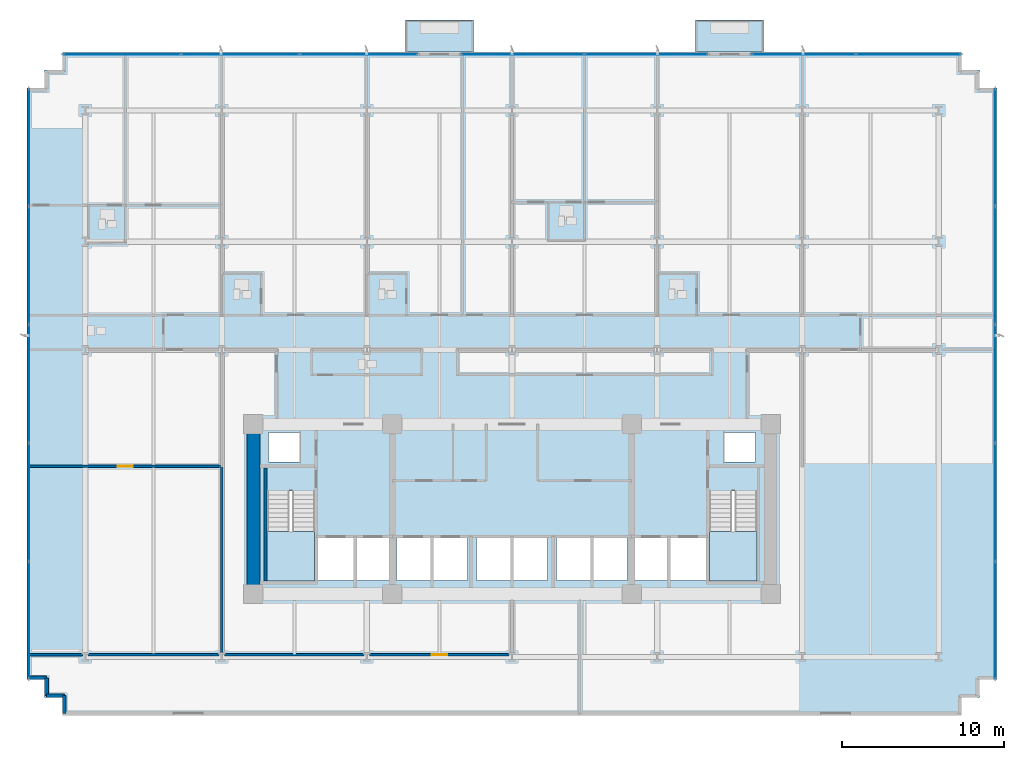
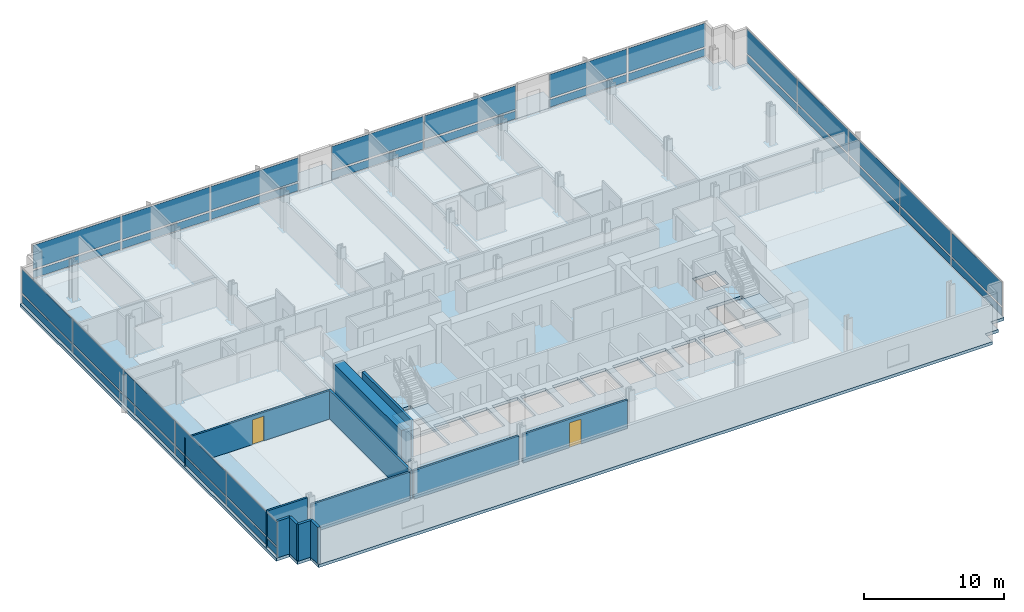
# One storey, part 7 of 16: 34 plates, 12 walls, 5 slabs, 2 doors, 2 openings, 7 elements without a shape of their own.
"""IFC4 building model written with IfcOpenShell, lengths in metres."""

from ifc_helpers import new_model, si_unit, direction, frame, frame_2d, origin, origin_2d, place, context, subcontext, project, spatial, polyline, rectangle, outline, extrude, material, layer, layer_set, type_object, element, fill, aggregate, save


model = new_model("IFC4")

# Units and contexts
model_context = context("Model", 3, precision=1e-05, world=origin(), true_north=direction((0.0, 1.0)))
body_context = subcontext(model_context, "Body", "Model", "MODEL_VIEW")
ifc_project = project(units=[si_unit("LENGTHUNIT", "METRE"), si_unit("AREAUNIT", "SQUARE_METRE"), si_unit("VOLUMEUNIT", "CUBIC_METRE"), si_unit("PLANEANGLEUNIT", "RADIAN"), si_unit("MASSUNIT", "GRAM", prefix="KILO")], contexts=[model_context])

# Site, building, storey
site_placement = place(None, origin())
site = spatial("IfcSite", under=ifc_project, at=site_placement, CompositionType="ELEMENT")
building_placement = place(site_placement, origin())
building = spatial("IfcBuilding", under=site, at=building_placement, Name="Solmavex Isthmus Hotel", CompositionType="ELEMENT")
storey_placement = place(building_placement, frame((0.0, 0.0, 36.75)))
storey = spatial("IfcBuildingStorey", under=building, at=storey_placement, Name="L09", CompositionType="ELEMENT", Elevation=36.75)

# Curtain wall, plates
ifc_material_1 = material(Name="Aluminium alloy 6063-T6", Category="aluminium")
curtain_wall_type = type_object("IfcCurtainWallType", Name="CW-SYS-02", PredefinedType="NOTDEFINED", material=ifc_material_1)
curtain_wall_1_placement = place(storey_placement, origin())
curtain_wall_1 = element("IfcCurtainWall", 1, at=curtain_wall_1_placement, inside=storey, type_object=curtain_wall_type, Name="Stick Curtain Wall CWL-L09-N1", PredefinedType="NOTDEFINED")
ifc_material_2 = material(Name="Clear low-E laminated glass", Category="glass")
ifc_layer_1 = layer(ifc_material_2, 0.031982421875)
ifc_layer_set_1 = layer_set([ifc_layer_1], Name="Clear low-E laminated glass")
plate_type = type_object("IfcPlateType", Name="CW-SYS-02-PNL", PredefinedType="CURTAIN_PANEL", material=ifc_layer_set_1)
plate_1_placement = place(storey_placement, frame((-24.112548828125, 20.3798828125, 0.16015625), z_axis=(0.0, 0.0, 1.0), x_axis=(1.0, 0.0, 0.0)))
plate_1 = element("IfcPlate", 2, at=plate_1_placement, type_object=plate_type, Name="CW-02 panel 1.1", PredefinedType="CURTAIN_PANEL", context=body_context, shape_type="SweptSolid", body=[
    extrude(rectangle(XDim=7.224853515625, YDim=0.031982421875, at=origin_2d()), origin(), (0.0, 0.0, 1.0), 0.659912109375),
])
plate_2_placement = place(storey_placement, frame((-24.112548828125, 20.3798828125, 0.97998046875), z_axis=(0.0, 0.0, 1.0), x_axis=(1.0, 0.0, 0.0)))
plate_2 = element("IfcPlate", 3, at=plate_2_placement, type_object=plate_type, Name="CW-02 panel 1.2", PredefinedType="CURTAIN_PANEL", context=body_context, shape_type="SweptSolid", body=[
    extrude(rectangle(XDim=7.224853515625, YDim=0.031982421875, at=origin_2d()), origin(), (0.0, 0.0, 1.0), 2.050048828125),
])
plate_3_placement = place(storey_placement, frame((-16.7939453125, 20.3798828125, 0.16015625), z_axis=(0.0, 0.0, 1.0), x_axis=(1.0, 0.0, 0.0)))
plate_3 = element("IfcPlate", 4, at=plate_3_placement, type_object=plate_type, Name="CW-02 panel 2.1", PredefinedType="CURTAIN_PANEL", context=body_context, shape_type="SweptSolid", body=[
    extrude(rectangle(XDim=7.262451171875, YDim=0.031982421875, at=origin_2d()), origin(), (0.0, 0.0, 1.0), 0.659912109375),
])
plate_4_placement = place(storey_placement, frame((-16.7939453125, 20.3798828125, 0.97998046875), z_axis=(0.0, 0.0, 1.0), x_axis=(1.0, 0.0, 0.0)))
plate_4 = element("IfcPlate", 5, at=plate_4_placement, type_object=plate_type, Name="CW-02 panel 2.2", PredefinedType="CURTAIN_PANEL", context=body_context, shape_type="SweptSolid", body=[
    extrude(rectangle(XDim=7.262451171875, YDim=0.031982421875, at=origin_2d()), origin(), (0.0, 0.0, 1.0), 2.050048828125),
])
plate_5_placement = place(storey_placement, frame((-9.475341796875, 20.3798828125, 0.16015625), z_axis=(0.0, 0.0, 1.0), x_axis=(1.0, 0.0, 0.0)))
plate_5 = element("IfcPlate", 6, at=plate_5_placement, type_object=plate_type, Name="CW-02 panel 3.1", PredefinedType="CURTAIN_PANEL", context=body_context, shape_type="SweptSolid", body=[
    extrude(rectangle(XDim=7.224853515625, YDim=0.031982421875, at=origin_2d()), origin(), (0.0, 0.0, 1.0), 0.659912109375),
])
plate_6_placement = place(storey_placement, frame((-9.475341796875, 20.3798828125, 0.97998046875), z_axis=(0.0, 0.0, 1.0), x_axis=(1.0, 0.0, 0.0)))
plate_6 = element("IfcPlate", 7, at=plate_6_placement, type_object=plate_type, Name="CW-02 panel 3.2", PredefinedType="CURTAIN_PANEL", context=body_context, shape_type="SweptSolid", body=[
    extrude(rectangle(XDim=7.224853515625, YDim=0.031982421875, at=origin_2d()), origin(), (0.0, 0.0, 1.0), 2.050048828125),
])
aggregate(curtain_wall_1, [plate_1, plate_2, plate_3, plate_4, plate_5, plate_6])

curtain_wall_2_placement = place(storey_placement, origin())
curtain_wall_2 = element("IfcCurtainWall", 8, at=curtain_wall_2_placement, inside=storey, type_object=curtain_wall_type, Name="Stick Curtain Wall CWL-L09-N2", PredefinedType="NOTDEFINED")
plate_7_placement = place(storey_placement, frame((0.668701171875, 20.3798828125, 0.16015625), z_axis=(0.0, 0.0, 1.0), x_axis=(1.0, 0.0, 0.0)))
plate_7 = element("IfcPlate", 9, at=plate_7_placement, type_object=plate_type, Name="CW-02 panel 1.1", PredefinedType="CURTAIN_PANEL", context=body_context, shape_type="SweptSolid", body=[
    extrude(rectangle(XDim=7.5634765625, YDim=0.031982421875, at=origin_2d()), origin(), (0.0, 0.0, 1.0), 0.659912109375),
])
plate_8_placement = place(storey_placement, frame((0.668701171875, 20.3798828125, 0.97998046875), z_axis=(0.0, 0.0, 1.0), x_axis=(1.0, 0.0, 0.0)))
plate_8 = element("IfcPlate", 10, at=plate_8_placement, type_object=plate_type, Name="CW-02 panel 1.2", PredefinedType="CURTAIN_PANEL", context=body_context, shape_type="SweptSolid", body=[
    extrude(rectangle(XDim=7.5634765625, YDim=0.031982421875, at=origin_2d()), origin(), (0.0, 0.0, 1.0), 2.050048828125),
])
plate_9_placement = place(storey_placement, frame((8.30712890625, 20.3798828125, 0.16015625), z_axis=(0.0, 0.0, 1.0), x_axis=(1.0, 0.0, 0.0)))
plate_9 = element("IfcPlate", 11, at=plate_9_placement, type_object=plate_type, Name="CW-02 panel 2.1", PredefinedType="CURTAIN_PANEL", context=body_context, shape_type="SweptSolid", body=[
    extrude(rectangle(XDim=7.5634765625, YDim=0.031982421875, at=origin_2d()), origin(), (0.0, 0.0, 1.0), 0.659912109375),
])
plate_10_placement = place(storey_placement, frame((8.30712890625, 20.3798828125, 0.97998046875), z_axis=(0.0, 0.0, 1.0), x_axis=(1.0, 0.0, 0.0)))
plate_10 = element("IfcPlate", 12, at=plate_10_placement, type_object=plate_type, Name="CW-02 panel 2.2", PredefinedType="CURTAIN_PANEL", context=body_context, shape_type="SweptSolid", body=[
    extrude(rectangle(XDim=7.5634765625, YDim=0.031982421875, at=origin_2d()), origin(), (0.0, 0.0, 1.0), 2.050048828125),
])
aggregate(curtain_wall_2, [plate_7, plate_8, plate_9, plate_10])

curtain_wall_3_placement = place(storey_placement, origin())
curtain_wall_3 = element("IfcCurtainWall", 13, at=curtain_wall_3_placement, inside=storey, type_object=curtain_wall_type, Name="Stick Curtain Wall CWL-L09-N3", PredefinedType="NOTDEFINED")
plate_11_placement = place(storey_placement, frame((18.041748046875, 20.3798828125, 0.16015625), z_axis=(0.0, 0.0, 1.0), x_axis=(1.0, 0.0, 0.0)))
plate_11 = element("IfcPlate", 14, at=plate_11_placement, type_object=plate_type, Name="CW-02 panel 1.1", PredefinedType="CURTAIN_PANEL", context=body_context, shape_type="SweptSolid", body=[
    extrude(rectangle(XDim=6.405517578125, YDim=0.031982421875, at=origin_2d()), origin(), (0.0, 0.0, 1.0), 0.659912109375),
])
plate_12_placement = place(storey_placement, frame((18.041748046875, 20.3798828125, 0.97998046875), z_axis=(0.0, 0.0, 1.0), x_axis=(1.0, 0.0, 0.0)))
plate_12 = element("IfcPlate", 15, at=plate_12_placement, type_object=plate_type, Name="CW-02 panel 1.2", PredefinedType="CURTAIN_PANEL", context=body_context, shape_type="SweptSolid", body=[
    extrude(rectangle(XDim=6.405517578125, YDim=0.031982421875, at=origin_2d()), origin(), (0.0, 0.0, 1.0), 2.050048828125),
])
plate_13_placement = place(storey_placement, frame((24.522216796875, 20.3798828125, 0.16015625), z_axis=(0.0, 0.0, 1.0), x_axis=(1.0, 0.0, 0.0)))
plate_13 = element("IfcPlate", 16, at=plate_13_placement, type_object=plate_type, Name="CW-02 panel 2.1", PredefinedType="CURTAIN_PANEL", context=body_context, shape_type="SweptSolid", body=[
    extrude(rectangle(XDim=6.405517578125, YDim=0.031982421875, at=origin_2d()), origin(), (0.0, 0.0, 1.0), 0.659912109375),
])
plate_14_placement = place(storey_placement, frame((24.522216796875, 20.3798828125, 0.97998046875), z_axis=(0.0, 0.0, 1.0), x_axis=(1.0, 0.0, 0.0)))
plate_14 = element("IfcPlate", 17, at=plate_14_placement, type_object=plate_type, Name="CW-02 panel 2.2", PredefinedType="CURTAIN_PANEL", context=body_context, shape_type="SweptSolid", body=[
    extrude(rectangle(XDim=6.405517578125, YDim=0.031982421875, at=origin_2d()), origin(), (0.0, 0.0, 1.0), 2.050048828125),
])
aggregate(curtain_wall_3, [plate_11, plate_12, plate_13, plate_14])

curtain_wall_4_placement = place(storey_placement, origin())
curtain_wall_4 = element("IfcCurtainWall", 18, at=curtain_wall_4_placement, inside=storey, type_object=curtain_wall_type, Name="Stick Curtain Wall CWL-L09-W1", PredefinedType="NOTDEFINED")
plate_15_placement = place(storey_placement, frame((-29.8798828125, -14.621337890625, 0.16015625), z_axis=(0.0, 0.0, 1.0), x_axis=(0.0, 1.0, 0.0)))
plate_15 = element("IfcPlate", 19, at=plate_15_placement, type_object=plate_type, Name="CW-02 panel 1.1", PredefinedType="CURTAIN_PANEL", context=body_context, shape_type="SweptSolid", body=[
    extrude(rectangle(XDim=7.20751953125, YDim=0.031982421875, at=origin_2d()), origin(), (0.0, 0.0, 1.0), 0.659912109375),
])
plate_16_placement = place(storey_placement, frame((-29.8798828125, -14.621337890625, 0.97998046875), z_axis=(0.0, 0.0, 1.0), x_axis=(0.0, 1.0, 0.0)))
plate_16 = element("IfcPlate", 20, at=plate_16_placement, type_object=plate_type, Name="CW-02 panel 1.2", PredefinedType="CURTAIN_PANEL", context=body_context, shape_type="SweptSolid", body=[
    extrude(rectangle(XDim=7.20751953125, YDim=0.031982421875, at=origin_2d()), origin(), (0.0, 0.0, 1.0), 2.050048828125),
])
plate_17_placement = place(storey_placement, frame((-29.8798828125, -7.320068359375, 0.16015625), z_axis=(0.0, 0.0, 1.0), x_axis=(0.0, 1.0, 0.0)))
plate_17 = element("IfcPlate", 21, at=plate_17_placement, type_object=plate_type, Name="CW-02 panel 2.1", PredefinedType="CURTAIN_PANEL", context=body_context, shape_type="SweptSolid", body=[
    extrude(rectangle(XDim=7.2451171875, YDim=0.031982421875, at=origin_2d()), origin(), (0.0, 0.0, 1.0), 0.659912109375),
])
plate_18_placement = place(storey_placement, frame((-29.8798828125, -7.320068359375, 0.97998046875), z_axis=(0.0, 0.0, 1.0), x_axis=(0.0, 1.0, 0.0)))
plate_18 = element("IfcPlate", 22, at=plate_18_placement, type_object=plate_type, Name="CW-02 panel 2.2", PredefinedType="CURTAIN_PANEL", context=body_context, shape_type="SweptSolid", body=[
    extrude(rectangle(XDim=7.2451171875, YDim=0.031982421875, at=origin_2d()), origin(), (0.0, 0.0, 1.0), 2.050048828125),
])
plate_19_placement = place(storey_placement, frame((-29.8798828125, 0.0, 0.16015625), z_axis=(0.0, 0.0, 1.0), x_axis=(0.0, 1.0, 0.0)))
plate_19 = element("IfcPlate", 23, at=plate_19_placement, type_object=plate_type, Name="CW-02 panel 3.1", PredefinedType="CURTAIN_PANEL", context=body_context, shape_type="SweptSolid", body=[
    extrude(rectangle(XDim=7.2451171875, YDim=0.031982421875, at=origin_2d()), origin(), (0.0, 0.0, 1.0), 0.659912109375),
])
plate_20_placement = place(storey_placement, frame((-29.8798828125, 0.0, 0.97998046875), z_axis=(0.0, 0.0, 1.0), x_axis=(0.0, 1.0, 0.0)))
plate_20 = element("IfcPlate", 24, at=plate_20_placement, type_object=plate_type, Name="CW-02 panel 3.2", PredefinedType="CURTAIN_PANEL", context=body_context, shape_type="SweptSolid", body=[
    extrude(rectangle(XDim=7.2451171875, YDim=0.031982421875, at=origin_2d()), origin(), (0.0, 0.0, 1.0), 2.050048828125),
])
plate_21_placement = place(storey_placement, frame((-29.8798828125, 7.320068359375, 0.16015625), z_axis=(0.0, 0.0, 1.0), x_axis=(0.0, 1.0, 0.0)))
plate_21 = element("IfcPlate", 25, at=plate_21_placement, type_object=plate_type, Name="CW-02 panel 4.1", PredefinedType="CURTAIN_PANEL", context=body_context, shape_type="SweptSolid", body=[
    extrude(rectangle(XDim=7.2451171875, YDim=0.031982421875, at=origin_2d()), origin(), (0.0, 0.0, 1.0), 0.659912109375),
])
plate_22_placement = place(storey_placement, frame((-29.8798828125, 7.320068359375, 0.97998046875), z_axis=(0.0, 0.0, 1.0), x_axis=(0.0, 1.0, 0.0)))
plate_22 = element("IfcPlate", 26, at=plate_22_placement, type_object=plate_type, Name="CW-02 panel 4.2", PredefinedType="CURTAIN_PANEL", context=body_context, shape_type="SweptSolid", body=[
    extrude(rectangle(XDim=7.2451171875, YDim=0.031982421875, at=origin_2d()), origin(), (0.0, 0.0, 1.0), 2.050048828125),
])
plate_23_placement = place(storey_placement, frame((-29.8798828125, 14.621337890625, 0.16015625), z_axis=(0.0, 0.0, 1.0), x_axis=(0.0, 1.0, 0.0)))
plate_23 = element("IfcPlate", 27, at=plate_23_placement, type_object=plate_type, Name="CW-02 panel 5.1", PredefinedType="CURTAIN_PANEL", context=body_context, shape_type="SweptSolid", body=[
    extrude(rectangle(XDim=7.20751953125, YDim=0.031982421875, at=origin_2d()), origin(), (0.0, 0.0, 1.0), 0.659912109375),
])
plate_24_placement = place(storey_placement, frame((-29.8798828125, 14.621337890625, 0.97998046875), z_axis=(0.0, 0.0, 1.0), x_axis=(0.0, 1.0, 0.0)))
plate_24 = element("IfcPlate", 28, at=plate_24_placement, type_object=plate_type, Name="CW-02 panel 5.2", PredefinedType="CURTAIN_PANEL", context=body_context, shape_type="SweptSolid", body=[
    extrude(rectangle(XDim=7.20751953125, YDim=0.031982421875, at=origin_2d()), origin(), (0.0, 0.0, 1.0), 2.050048828125),
])
aggregate(curtain_wall_4, [plate_15, plate_16, plate_17, plate_18, plate_19, plate_20, plate_21, plate_22, plate_23, plate_24])

curtain_wall_5_placement = place(storey_placement, origin())
curtain_wall_5 = element("IfcCurtainWall", 29, at=curtain_wall_5_placement, inside=storey, type_object=curtain_wall_type, Name="Stick Curtain Wall CWL-L09-E1", PredefinedType="NOTDEFINED")
plate_25_placement = place(storey_placement, frame((29.8798828125, -14.621337890625, 0.16015625), z_axis=(0.0, 0.0, 1.0), x_axis=(0.0, 1.0, 0.0)))
plate_25 = element("IfcPlate", 30, at=plate_25_placement, type_object=plate_type, Name="CW-02 panel 1.1", PredefinedType="CURTAIN_PANEL", context=body_context, shape_type="SweptSolid", body=[
    extrude(rectangle(XDim=7.20751953125, YDim=0.031982421875, at=origin_2d()), origin(), (0.0, 0.0, 1.0), 0.659912109375),
])
plate_26_placement = place(storey_placement, frame((29.8798828125, -14.621337890625, 0.97998046875), z_axis=(0.0, 0.0, 1.0), x_axis=(0.0, 1.0, 0.0)))
plate_26 = element("IfcPlate", 31, at=plate_26_placement, type_object=plate_type, Name="CW-02 panel 1.2", PredefinedType="CURTAIN_PANEL", context=body_context, shape_type="SweptSolid", body=[
    extrude(rectangle(XDim=7.20751953125, YDim=0.031982421875, at=origin_2d()), origin(), (0.0, 0.0, 1.0), 2.050048828125),
])
plate_27_placement = place(storey_placement, frame((29.8798828125, -7.320068359375, 0.16015625), z_axis=(0.0, 0.0, 1.0), x_axis=(0.0, 1.0, 0.0)))
plate_27 = element("IfcPlate", 32, at=plate_27_placement, type_object=plate_type, Name="CW-02 panel 2.1", PredefinedType="CURTAIN_PANEL", context=body_context, shape_type="SweptSolid", body=[
    extrude(rectangle(XDim=7.2451171875, YDim=0.031982421875, at=origin_2d()), origin(), (0.0, 0.0, 1.0), 0.659912109375),
])
plate_28_placement = place(storey_placement, frame((29.8798828125, -7.320068359375, 0.97998046875), z_axis=(0.0, 0.0, 1.0), x_axis=(0.0, 1.0, 0.0)))
plate_28 = element("IfcPlate", 33, at=plate_28_placement, type_object=plate_type, Name="CW-02 panel 2.2", PredefinedType="CURTAIN_PANEL", context=body_context, shape_type="SweptSolid", body=[
    extrude(rectangle(XDim=7.2451171875, YDim=0.031982421875, at=origin_2d()), origin(), (0.0, 0.0, 1.0), 2.050048828125),
])
plate_29_placement = place(storey_placement, frame((29.8798828125, 0.0, 0.16015625), z_axis=(0.0, 0.0, 1.0), x_axis=(0.0, 1.0, 0.0)))
plate_29 = element("IfcPlate", 34, at=plate_29_placement, type_object=plate_type, Name="CW-02 panel 3.1", PredefinedType="CURTAIN_PANEL", context=body_context, shape_type="SweptSolid", body=[
    extrude(rectangle(XDim=7.2451171875, YDim=0.031982421875, at=origin_2d()), origin(), (0.0, 0.0, 1.0), 0.659912109375),
])
plate_30_placement = place(storey_placement, frame((29.8798828125, 0.0, 0.97998046875), z_axis=(0.0, 0.0, 1.0), x_axis=(0.0, 1.0, 0.0)))
plate_30 = element("IfcPlate", 35, at=plate_30_placement, type_object=plate_type, Name="CW-02 panel 3.2", PredefinedType="CURTAIN_PANEL", context=body_context, shape_type="SweptSolid", body=[
    extrude(rectangle(XDim=7.2451171875, YDim=0.031982421875, at=origin_2d()), origin(), (0.0, 0.0, 1.0), 2.050048828125),
])
plate_31_placement = place(storey_placement, frame((29.8798828125, 7.320068359375, 0.16015625), z_axis=(0.0, 0.0, 1.0), x_axis=(0.0, 1.0, 0.0)))
plate_31 = element("IfcPlate", 36, at=plate_31_placement, type_object=plate_type, Name="CW-02 panel 4.1", PredefinedType="CURTAIN_PANEL", context=body_context, shape_type="SweptSolid", body=[
    extrude(rectangle(XDim=7.2451171875, YDim=0.031982421875, at=origin_2d()), origin(), (0.0, 0.0, 1.0), 0.659912109375),
])
plate_32_placement = place(storey_placement, frame((29.8798828125, 7.320068359375, 0.97998046875), z_axis=(0.0, 0.0, 1.0), x_axis=(0.0, 1.0, 0.0)))
plate_32 = element("IfcPlate", 37, at=plate_32_placement, type_object=plate_type, Name="CW-02 panel 4.2", PredefinedType="CURTAIN_PANEL", context=body_context, shape_type="SweptSolid", body=[
    extrude(rectangle(XDim=7.2451171875, YDim=0.031982421875, at=origin_2d()), origin(), (0.0, 0.0, 1.0), 2.050048828125),
])
plate_33_placement = place(storey_placement, frame((29.8798828125, 14.621337890625, 0.16015625), z_axis=(0.0, 0.0, 1.0), x_axis=(0.0, 1.0, 0.0)))
plate_33 = element("IfcPlate", 38, at=plate_33_placement, type_object=plate_type, Name="CW-02 panel 5.1", PredefinedType="CURTAIN_PANEL", context=body_context, shape_type="SweptSolid", body=[
    extrude(rectangle(XDim=7.20751953125, YDim=0.031982421875, at=origin_2d()), origin(), (0.0, 0.0, 1.0), 0.659912109375),
])
plate_34_placement = place(storey_placement, frame((29.8798828125, 14.621337890625, 0.97998046875), z_axis=(0.0, 0.0, 1.0), x_axis=(0.0, 1.0, 0.0)))
plate_34 = element("IfcPlate", 39, at=plate_34_placement, type_object=plate_type, Name="CW-02 panel 5.2", PredefinedType="CURTAIN_PANEL", context=body_context, shape_type="SweptSolid", body=[
    extrude(rectangle(XDim=7.20751953125, YDim=0.031982421875, at=origin_2d()), origin(), (0.0, 0.0, 1.0), 2.050048828125),
])
aggregate(curtain_wall_5, [plate_25, plate_26, plate_27, plate_28, plate_29, plate_30, plate_31, plate_32, plate_33, plate_34])

# Slabs
ifc_material_3 = material(Name="Concrete C40/50", Category="concrete")
ifc_layer_2 = layer(ifc_material_3, 0.239990234375)
ifc_layer_set_2 = layer_set([ifc_layer_2], Name="Concrete C40/50")
slab_type_1 = type_object("IfcSlabType", Name="SLAB-BALC-240", PredefinedType="FLOOR", material=ifc_layer_set_2)
slab_1_placement = place(storey_placement, frame((0.0, 0.0, -0.239990234375)))
element("IfcSlab", 40, at=slab_1_placement, inside=storey, type_object=slab_type_1, Name="Tree-Planter Balcony Slab L09-B1", PredefinedType="FLOOR", context=body_context, shape_type="SweptSolid", body=[
    extrude(outline(polyline([(-6.587890625, 20.514892578125), (-2.387939453125, 20.514892578125), (-2.387939453125, 22.5), (-6.587890625, 22.5), (-6.587890625, 20.514892578125)])), origin(), (0.0, 0.0, 1.0), 0.239990234375),
])
slab_2_placement = place(storey_placement, frame((0.0, 0.0, -0.239990234375)))
element("IfcSlab", 41, at=slab_2_placement, inside=storey, type_object=slab_type_1, Name="Tree-Planter Balcony Slab L09-B2", PredefinedType="FLOOR", context=body_context, shape_type="SweptSolid", body=[
    extrude(outline(polyline([(11.364013671875, 20.514892578125), (15.56396484375, 20.514892578125), (15.56396484375, 22.5), (11.364013671875, 22.5), (11.364013671875, 20.514892578125)])), origin(), (0.0, 0.0, 1.0), 0.239990234375),
])
ifc_layer_3 = layer(ifc_material_3, 0.260009765625)
ifc_layer_set_3 = layer_set([ifc_layer_3], Name="Concrete C40/50")
slab_type_2 = type_object("IfcSlabType", Name="SLAB-TYP-260", PredefinedType="FLOOR", material=ifc_layer_set_3)
slab_3_placement = place(storey_placement, frame((0.0, 0.0, -0.260009765625)))
element("IfcSlab", 42, at=slab_3_placement, inside=storey, type_object=slab_type_2, Name="Tower Structural Floor Slab L09", PredefinedType="FLOOR", context=body_context, shape_type="SweptSolid", body=[
    extrude(outline(polyline([(-26.699951171875, -20.5), (26.699951171875, -20.5), (27.800048828125, -20.5), (27.800048828125, -19.39990234375), (28.89990234375, -19.39990234375), (28.89990234375, -18.300048828125), (30.0, -18.300048828125), (30.0, -17.199951171875), (30.0, 17.199951171875), (30.0, 18.300048828125), (28.89990234375, 18.300048828125), (28.89990234375, 19.39990234375), (27.800048828125, 19.39990234375), (27.800048828125, 20.5), (26.699951171875, 20.5), (-26.699951171875, 20.5), (-27.800048828125, 20.5), (-27.800048828125, 19.39990234375), (-28.89990234375, 19.39990234375), (-28.89990234375, 18.300048828125), (-30.0, 18.300048828125), (-30.0, 17.199951171875), (-30.0, -17.199951171875), (-30.0, -18.300048828125), (-28.89990234375, -18.300048828125), (-28.89990234375, -19.39990234375), (-27.800048828125, -19.39990234375), (-27.800048828125, -20.5), (-26.699951171875, -20.5)]), holes=[polyline([(-15.14990234375, -6.617919921875), (-15.14990234375, -12.199951171875), (-12.199951171875, -12.199951171875), (-12.199951171875, -6.617919921875), (-15.14990234375, -6.617919921875)]), polyline([(12.199951171875, -6.617919921875), (12.199951171875, -12.199951171875), (15.14990234375, -12.199951171875), (15.14990234375, -6.617919921875), (12.199951171875, -6.617919921875)]), polyline([(-12.0, -12.14990234375), (-9.800048828125, -12.14990234375), (-9.800048828125, -9.550048828125), (-12.0, -9.550048828125), (-12.0, -12.14990234375)]), polyline([(9.800048828125, -12.14990234375), (12.0, -12.14990234375), (12.0, -9.550048828125), (9.800048828125, -9.550048828125), (9.800048828125, -12.14990234375)]), polyline([(-9.60009765625, -12.14990234375), (-7.60009765625, -12.14990234375), (-7.60009765625, -9.550048828125), (-9.60009765625, -9.550048828125), (-9.60009765625, -12.14990234375)]), polyline([(7.60009765625, -12.14990234375), (9.60009765625, -12.14990234375), (9.60009765625, -9.550048828125), (7.60009765625, -9.550048828125), (7.60009765625, -12.14990234375)]), polyline([(-7.14990234375, -12.14990234375), (-5.050048828125, -12.14990234375), (-5.050048828125, -9.550048828125), (-7.14990234375, -9.550048828125), (-7.14990234375, -12.14990234375)]), polyline([(-4.85009765625, -12.14990234375), (-2.75, -12.14990234375), (-2.75, -9.550048828125), (-4.85009765625, -9.550048828125), (-4.85009765625, -12.14990234375)]), polyline([(-2.199951171875, -12.14990234375), (-0.10009765625, -12.14990234375), (-0.10009765625, -9.550048828125), (-2.199951171875, -9.550048828125), (-2.199951171875, -12.14990234375)]), polyline([(0.10009765625, -12.14990234375), (2.199951171875, -12.14990234375), (2.199951171875, -9.550048828125), (0.10009765625, -9.550048828125), (0.10009765625, -12.14990234375)]), polyline([(2.75, -12.14990234375), (4.85009765625, -12.14990234375), (4.85009765625, -9.550048828125), (2.75, -9.550048828125), (2.75, -12.14990234375)]), polyline([(5.050048828125, -12.14990234375), (7.14990234375, -12.14990234375), (7.14990234375, -9.550048828125), (5.050048828125, -9.550048828125), (5.050048828125, -12.14990234375)]), polyline([(-15.050048828125, -4.85009765625), (-13.14990234375, -4.85009765625), (-13.14990234375, -3.0), (-15.050048828125, -3.0), (-15.050048828125, -4.85009765625)]), polyline([(13.14990234375, -4.85009765625), (15.050048828125, -4.85009765625), (15.050048828125, -3.0), (13.14990234375, -3.0), (13.14990234375, -4.85009765625)])]), origin(), (0.0, 0.0, 1.0), 0.260009765625),
])

# Stair, slab
stair_type_1 = type_object("IfcStairType", Name="STR-ST-1", PredefinedType="HALF_TURN_STAIR", material=ifc_material_3)
stair_1_placement = place(storey_placement, origin())
stair_1 = element("IfcStair", 43, at=stair_1_placement, inside=storey, type_object=stair_type_1, Name="L09 Protected Exit Stair ST-1", PredefinedType="HALF_TURN_STAIR")
ifc_layer_4 = layer(ifc_material_3, 0.219970703125)
ifc_layer_set_4 = layer_set([ifc_layer_4], Name="Concrete C40/50")
slab_type_3 = type_object("IfcSlabType", Name="SLD-ST-1", PredefinedType="LANDING", material=ifc_layer_set_4)
slab_4_placement = place(storey_placement, frame((0.0, 0.0, 1.52490234375)))
slab_4 = element("IfcSlab", 44, at=slab_4_placement, type_object=slab_type_3, Name="ST-1 landing 1", PredefinedType="LANDING", context=body_context, shape_type="SweptSolid", body=[
    extrude(outline(polyline([(-15.14990234375, -9.1201171875), (-15.14990234375, -12.199951171875), (-12.199951171875, -12.199951171875), (-12.199951171875, -9.1201171875), (-15.14990234375, -9.1201171875)])), origin(), (0.0, 0.0, 1.0), 0.2001953125),
])
aggregate(stair_1, [slab_4])

stair_type_2 = type_object("IfcStairType", Name="STR-ST-2", PredefinedType="HALF_TURN_STAIR", material=ifc_material_3)
stair_2_placement = place(storey_placement, origin())
stair_2 = element("IfcStair", 45, at=stair_2_placement, inside=storey, type_object=stair_type_2, Name="L09 Protected Exit Stair ST-2", PredefinedType="HALF_TURN_STAIR")
ifc_layer_5 = layer(ifc_material_3, 0.219970703125)
ifc_layer_set_5 = layer_set([ifc_layer_5], Name="Concrete C40/50")
slab_type_4 = type_object("IfcSlabType", Name="SLD-ST-2", PredefinedType="LANDING", material=ifc_layer_set_5)
slab_5_placement = place(storey_placement, frame((0.0, 0.0, 1.52490234375)))
slab_5 = element("IfcSlab", 46, at=slab_5_placement, type_object=slab_type_4, Name="ST-2 landing 1", PredefinedType="LANDING", context=body_context, shape_type="SweptSolid", body=[
    extrude(outline(polyline([(12.199951171875, -9.1201171875), (12.199951171875, -12.199951171875), (15.14990234375, -12.199951171875), (15.14990234375, -9.1201171875), (12.199951171875, -9.1201171875)])), origin(), (0.0, 0.0, 1.0), 0.2001953125),
])
aggregate(stair_2, [slab_5])

# Walls
ifc_material_4 = material(Name="Precast Concrete C40/50", Category="concrete")
ifc_layer_6 = layer(ifc_material_4, 0.25)
ifc_layer_set_6 = layer_set([ifc_layer_6], Name="Precast Concrete C40/50")
wall_type_1 = type_object("IfcWallType", Name="EW-TWR-250", PredefinedType="STANDARD", material=ifc_layer_set_6)
wall_1_placement = place(storey_placement, frame((-27.68994140625, -20.389892578125, 0.0), z_axis=(0.0, 0.0, 1.0), x_axis=(0.0, 1.0, 0.0)))
element("IfcWall", 47, at=wall_1_placement, inside=storey, type_object=wall_type_1, Name="Serrated Corner Facade Panel L09-01", PredefinedType="STANDARD", context=body_context, shape_type="SweptSolid", body=[
    extrude(rectangle(XDim=1.099853515625, YDim=0.219970703125, at=frame_2d((0.5498046875, 0.0))), origin(), (0.0, 0.0, 1.0), 3.18994140625),
])
for number, where, z_axis, x_axis, name in (
    (48, (-27.68994140625, -19.2900390625, 0.0), (0.0, 0.0, 1.0), (-1.0, 0.0, 0.0), "Serrated Corner Facade Panel L09-02"),
    (49, (-28.7900390625, -19.2900390625, 0.0), (0.0, 0.0, 1.0), (0.0, 1.0, 0.0), "Serrated Corner Facade Panel L09-03"),
):
    element("IfcWall", number, at=place(storey_placement, frame(where, z_axis=z_axis, x_axis=x_axis)), inside=storey, type_object=wall_type_1, Name=name, PredefinedType="STANDARD", context=body_context, shape_type="SweptSolid", body=[
        extrude(rectangle(XDim=1.10009765625, YDim=0.219970703125, at=frame_2d((0.550048828125, 0.0))), origin(), (0.0, 0.0, 1.0), 3.18994140625),
    ])
wall_2_placement = place(storey_placement, frame((-28.7900390625, -18.18994140625, 0.0), z_axis=(0.0, 0.0, 1.0), x_axis=(-1.0, 0.0, 0.0)))
element("IfcWall", 50, at=wall_2_placement, inside=storey, type_object=wall_type_1, Name="Serrated Corner Facade Panel L09-04", PredefinedType="STANDARD", context=body_context, shape_type="SweptSolid", body=[
    extrude(rectangle(XDim=1.099853515625, YDim=0.219970703125, at=frame_2d((0.5498046875, 0.0))), origin(), (0.0, 0.0, 1.0), 3.18994140625),
])

# Wall, opening, door
ifc_material_5 = material(Name="Gypsum plasterboard lining", Category="gypsum")
ifc_layer_7 = layer(ifc_material_5, 0.159912109375)
ifc_layer_set_7 = layer_set([ifc_layer_7], Name="Gypsum plasterboard lining")
wall_type_2 = type_object("IfcWallType", Name="IW-COMP-160", PredefinedType="PARTITIONING", material=ifc_layer_set_7)
wall_3_placement = place(storey_placement, frame((-17.912109375, -5.10009765625, 0.0), z_axis=(0.0, 0.0, 1.0), x_axis=(-1.0, 0.0, 0.0)))
wall_3 = element("IfcWall", 51, at=wall_3_placement, inside=storey, type_object=wall_type_2, Name="Interior Partition Wall W-L09-P082", PredefinedType="PARTITIONING", context=body_context, shape_type="SweptSolid", body=[
    extrude(rectangle(XDim=12.0078125, YDim=0.159912109375, at=frame_2d((6.00390625, 0.0))), origin(), (0.0, 0.0, 1.0), 2.4794921875),
])
opening_1_placement = place(wall_3_placement, frame((5.529052734375, 0.0, 0.0)))
opening_1 = element("IfcOpeningElement", 52, at=opening_1_placement, cuts=wall_3, Name="Opening ID-C095", PredefinedType="OPENING", context=body_context, shape_type="SweptSolid", body=[
    extrude(rectangle(XDim=0.949951171875, YDim=2.14990234375, at=frame_2d((0.47509765625, 1.074951171875))), frame((0.0, 0.08984375, 0.0), z_axis=(0.0, -1.0, 0.0), x_axis=(1.0, 0.0, 0.0)), (0.0, 0.0, 1.0), 0.179931640625),
])
ifc_material_6 = material(Name="Hardwood timber", Category="wood")
door_type = type_object("IfcDoorType", Name="IDR-FD60-0950", OperationType="NOTDEFINED", PredefinedType="DOOR", material=ifc_material_6)
door_1_placement = place(opening_1_placement, origin())
door_1 = element("IfcDoor", 53, at=door_1_placement, inside=storey, type_object=door_type, Name="Corporate Briefing Office Door L09-26", OperationType="SINGLE_SWING_RIGHT", OverallHeight=2.14990234375, OverallWidth=0.949951171875, PredefinedType="DOOR", context=body_context, shape_type="SweptSolid", body=[
    extrude(rectangle(XDim=0.949951171875, YDim=2.14990234375, at=frame_2d((0.47509765625, 1.074951171875))), frame((0.0, 0.02490234375, 0.0), z_axis=(0.0, -1.0, 0.0), x_axis=(1.0, 0.0, 0.0)), (0.0, 0.0, 1.0), 0.050048828125),
])
fill(opening_1, door_1)

# Wall
wall_4_placement = place(storey_placement, frame((-9.15087890625, -16.75, 0.0), z_axis=(0.0, 0.0, 1.0), x_axis=(-1.0, 0.0, 0.0)))
element("IfcWall", 54, at=wall_4_placement, inside=storey, type_object=wall_type_2, Name="Interior Partition Wall W-L09-P084", PredefinedType="PARTITIONING", context=body_context, shape_type="SweptSolid", body=[
    extrude(rectangle(XDim=8.626220703125, YDim=0.159912109375, at=frame_2d((4.31298828125, 0.0))), origin(), (0.0, 0.0, 1.0), 2.4794921875),
])

# Wall, opening, door
wall_5_placement = place(storey_placement, frame((-0.175048828125, -16.75, 0.0), z_axis=(0.0, 0.0, 1.0), x_axis=(-1.0, 0.0, 0.0)))
wall_5 = element("IfcWall", 55, at=wall_5_placement, inside=storey, type_object=wall_type_2, Name="Interior Partition Wall W-L09-P085", PredefinedType="PARTITIONING", context=body_context, shape_type="SweptSolid", body=[
    extrude(rectangle(XDim=8.6259765625, YDim=0.159912109375, at=frame_2d((4.31298828125, 0.0))), origin(), (0.0, 0.0, 1.0), 2.4794921875),
])
opening_2_placement = place(wall_5_placement, frame((3.837890625, 0.0, 0.0)))
opening_2 = element("IfcOpeningElement", 56, at=opening_2_placement, cuts=wall_5, Name="Opening ID-C095", PredefinedType="OPENING", context=body_context, shape_type="SweptSolid", body=[
    extrude(rectangle(XDim=0.949951171875, YDim=2.14990234375, at=frame_2d((0.47509765625, 1.074951171875))), frame((0.0, 0.08984375, 0.0), z_axis=(0.0, -1.0, 0.0), x_axis=(1.0, 0.0, 0.0)), (0.0, 0.0, 1.0), 0.179931640625),
])
door_2_placement = place(opening_2_placement, origin())
door_2 = element("IfcDoor", 57, at=door_2_placement, inside=storey, type_object=door_type, Name="Corporate Briefing Office Door L09-25", OperationType="SINGLE_SWING_LEFT", OverallHeight=2.14990234375, OverallWidth=0.949951171875, PredefinedType="DOOR", context=body_context, shape_type="SweptSolid", body=[
    extrude(rectangle(XDim=0.949951171875, YDim=2.14990234375, at=frame_2d((0.47509765625, 1.074951171875))), frame((0.0, 0.02490234375, 0.0), z_axis=(0.0, -1.0, 0.0), x_axis=(1.0, 0.0, 0.0)), (0.0, 0.0, 1.0), 0.050048828125),
])
fill(opening_2, door_2)

# Walls
wall_6_placement = place(storey_placement, frame((-17.951904296875, -16.72509765625, 0.0), z_axis=(0.0, 0.0, 1.0), x_axis=(0.0, 1.0, 0.0)))
element("IfcWall", 58, at=wall_6_placement, inside=storey, type_object=wall_type_2, Name="Interior Partition Wall W-L09-P087", PredefinedType="PARTITIONING", context=body_context, shape_type="SweptSolid", body=[
    extrude(rectangle(XDim=11.70703125, YDim=0.159912109375, at=frame_2d((5.853515625, 0.0))), origin(), (0.0, 0.0, 1.0), 2.4794921875),
])
wall_7_placement = place(storey_placement, frame((-29.919921875, -16.75, 0.0), z_axis=(0.0, 0.0, 1.0), x_axis=(1.0, 0.0, 0.0)))
element("IfcWall", 59, at=wall_7_placement, inside=storey, type_object=wall_type_2, Name="Interior Partition Wall W-L09-P089", PredefinedType="PARTITIONING", context=body_context, shape_type="SweptSolid", body=[
    extrude(rectangle(XDim=3.344970703125, YDim=0.159912109375, at=frame_2d((1.67236328125, 0.0))), origin(), (0.0, 0.0, 1.0), 3.18994140625),
])
wall_8_placement = place(storey_placement, frame((-26.22509765625, -16.75, 0.0), z_axis=(0.0, 0.0, 1.0), x_axis=(1.0, 0.0, 0.0)))
element("IfcWall", 60, at=wall_8_placement, inside=storey, type_object=wall_type_2, Name="Interior Partition Wall W-L09-P090", PredefinedType="PARTITIONING", context=body_context, shape_type="SweptSolid", body=[
    extrude(rectangle(XDim=8.09814453125, YDim=0.159912109375, at=frame_2d((4.049072265625, 0.0))), origin(), (0.0, 0.0, 1.0), 2.4794921875),
])
ifc_material_7 = material(Name="Concrete C70/85", Category="concrete")
ifc_layer_8 = layer(ifc_material_7, 0.800048828125)
ifc_layer_set_8 = layer_set([ifc_layer_8], Name="Concrete C70/85")
wall_type_3 = type_object("IfcWallType", Name="WALL-CW-800", PredefinedType="SHEAR", material=ifc_layer_set_8)
wall_9_placement = place(storey_placement, frame((-16.0, -12.60009765625, 0.0), z_axis=(0.0, 0.0, 1.0), x_axis=(0.0, 1.0, 0.0)))
element("IfcWall", 61, at=wall_9_placement, inside=storey, type_object=wall_type_3, Name="Core Shear Wall West L09", PredefinedType="SHEAR", context=body_context, shape_type="SweptSolid", body=[
    extrude(rectangle(XDim=9.7001953125, YDim=0.800048828125, at=frame_2d((4.85009765625, 0.0))), origin(), (0.0, 0.0, 1.0), 2.909912109375),
])
ifc_layer_9 = layer(ifc_material_3, 0.199951171875)
ifc_layer_set_9 = layer_set([ifc_layer_9], Name="Concrete C40/50")
wall_type_4 = type_object("IfcWallType", Name="WALL-SW-200", PredefinedType="SOLIDWALL", material=ifc_layer_set_9)
wall_10_placement = place(storey_placement, frame((-15.25, -12.199951171875, 0.0), z_axis=(0.0, 0.0, 1.0), x_axis=(0.0, 1.0, 0.0)))
element("IfcWall", 62, at=wall_10_placement, inside=storey, type_object=wall_type_4, Name="Stairwell Structural Wall SW-L09-ST1-W", PredefinedType="SOLIDWALL", context=body_context, shape_type="SweptSolid", body=[
    extrude(rectangle(XDim=7.0, YDim=0.199951171875, at=frame_2d((3.5, 0.0))), origin(), (0.0, 0.0, 1.0), 3.18994140625),
])

save(model, "model.ifc")
